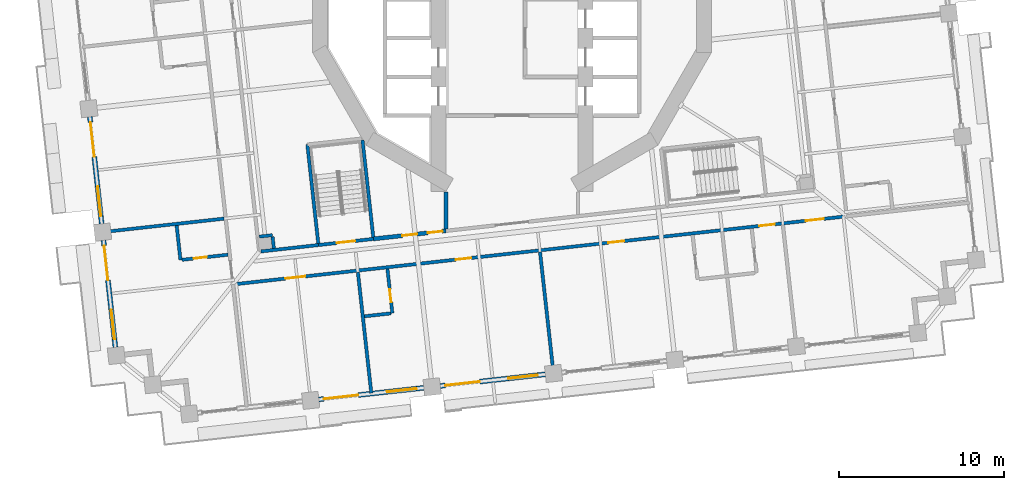
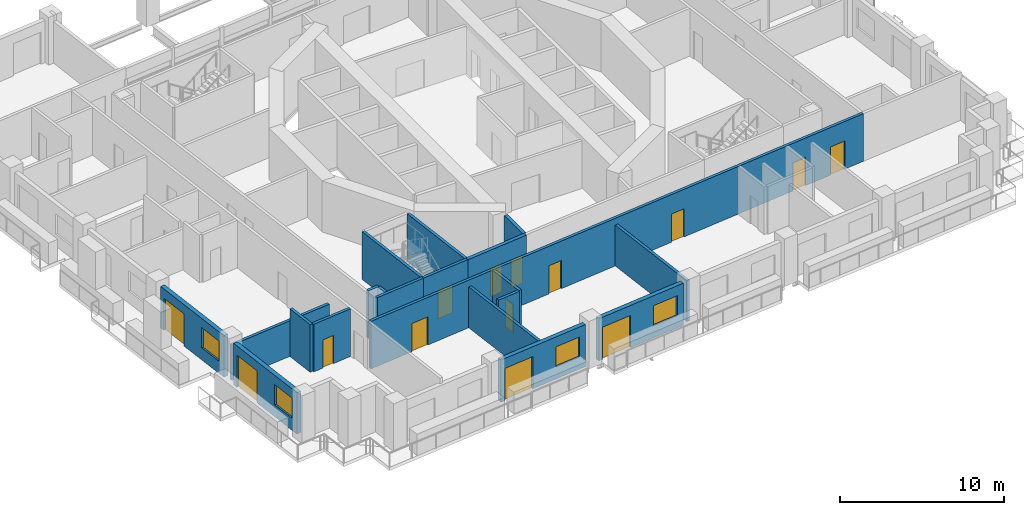
# One storey, part 7 of 21: 20 walls, 14 doors, 4 windows, 18 openings.
"""IFC4 building model written with IfcOpenShell, lengths in metres."""

from ifc_helpers import new_model, si_unit, direction, frame, frame_2d, origin, place, context, subcontext, project, spatial, rectangle, extrude, material, layer, layer_set, type_object, element, fill, save


model = new_model("IFC4")

# Units and contexts
model_context = context("Model", 3, precision=1e-05, world=origin(), true_north=direction((0.0, 1.0)))
body_context = subcontext(model_context, "Body", "Model", "MODEL_VIEW")
ifc_project = project(units=[si_unit("LENGTHUNIT", "METRE"), si_unit("AREAUNIT", "SQUARE_METRE"), si_unit("VOLUMEUNIT", "CUBIC_METRE"), si_unit("PLANEANGLEUNIT", "RADIAN"), si_unit("MASSUNIT", "GRAM", prefix="KILO")], contexts=[model_context])

# Site, building, storey
site_placement = place(None, origin())
site = spatial("IfcSite", under=ifc_project, at=site_placement, CompositionType="ELEMENT")
building_placement = place(site_placement, origin())
building = spatial("IfcBuilding", under=site, at=building_placement, Name="Cantera Rosa Tower", CompositionType="ELEMENT")
storey_placement = place(building_placement, frame((0.0, 0.0, 61.5)))
storey = spatial("IfcBuildingStorey", under=building, at=storey_placement, Name="L12", CompositionType="ELEMENT", Elevation=61.5)

# Wall, openings, doors
ifc_material_1 = material(Name="Gypsum board partition")
ifc_layer_1 = layer(ifc_material_1, 0.199951171875)
ifc_layer_set_1 = layer_set([ifc_layer_1], Name="CORRIDOR WALL 200 H3550")
wall_type_1 = type_object("IfcWallType", Name="CORRIDOR WALL 200 H3550", PredefinedType="PARTITIONING", material=ifc_layer_set_1)
wall_1_placement = place(storey_placement, frame((-16.798583984375, -17.25830078125, 0.0), z_axis=(0.0, 0.0, 1.0), x_axis=(0.993897376518, 0.110308680302, 0.0)))
wall_1 = element("IfcWall", 1, at=wall_1_placement, inside=storey, type_object=wall_type_1, Name="CORRIDOR WALL L12-020", PredefinedType="PARTITIONING", context=body_context, shape_type="SweptSolid", body=[
    extrude(rectangle(XDim=37.2998046875, YDim=0.199951171875, at=frame_2d((18.64990234375, 0.0))), origin(), (0.0, 0.0, 1.0), 3.550048828125),
])
opening_1_placement = place(wall_1_placement, frame((3.10009765625, 0.0, 0.0)))
opening_1 = element("IfcOpeningElement", 2, at=opening_1_placement, cuts=wall_1, Name="Opening L12-039", PredefinedType="OPENING", context=body_context, shape_type="SweptSolid", body=[
    extrude(rectangle(XDim=1.199951171875, YDim=2.10009765625, at=frame_2d((0.60009765625, 1.050048828125))), frame((0.0, 0.10986328125, 0.0), z_axis=(0.0, -1.0, 0.0), x_axis=(1.0, 0.0, 0.0)), (0.0, 0.0, 1.0), 0.219970703125),
])
opening_2_placement = place(wall_1_placement, frame((13.47509765625, 0.0, 0.0)))
opening_2 = element("IfcOpeningElement", 3, at=opening_2_placement, cuts=wall_1, Name="Opening L12-040", PredefinedType="OPENING", context=body_context, shape_type="SweptSolid", body=[
    extrude(rectangle(XDim=0.949951171875, YDim=2.10009765625, at=frame_2d((0.47509765625, 1.050048828125))), frame((0.0, 0.10986328125, 0.0), z_axis=(0.0, -1.0, 0.0), x_axis=(1.0, 0.0, 0.0)), (0.0, 0.0, 1.0), 0.219970703125),
])
opening_3_placement = place(wall_1_placement, frame((22.77490234375, 0.0, 0.0)))
opening_3 = element("IfcOpeningElement", 4, at=opening_3_placement, cuts=wall_1, Name="Opening L12-042", PredefinedType="OPENING", context=body_context, shape_type="SweptSolid", body=[
    extrude(rectangle(XDim=0.949951171875, YDim=2.10009765625, at=frame_2d((0.47509765625, 1.050048828125))), frame((0.0, 0.10986328125, 0.0), z_axis=(0.0, -1.0, 0.0), x_axis=(1.0, 0.0, 0.0)), (0.0, 0.0, 1.0), 0.219970703125),
])
opening_4_placement = place(wall_1_placement, frame((31.97509765625, 0.0, 0.0)))
opening_4 = element("IfcOpeningElement", 5, at=opening_4_placement, cuts=wall_1, Name="Opening L12-044", PredefinedType="OPENING", context=body_context, shape_type="SweptSolid", body=[
    extrude(rectangle(XDim=0.949951171875, YDim=2.10009765625, at=frame_2d((0.47509765625, 1.050048828125))), frame((0.0, 0.10986328125, 0.0), z_axis=(0.0, -1.0, 0.0), x_axis=(1.0, 0.0, 0.0)), (0.0, 0.0, 1.0), 0.219970703125),
])
opening_5_placement = place(wall_1_placement, frame((34.800048828125, 0.0, 0.0)))
opening_5 = element("IfcOpeningElement", 6, at=opening_5_placement, cuts=wall_1, Name="Opening L12-046", PredefinedType="OPENING", context=body_context, shape_type="SweptSolid", body=[
    extrude(rectangle(XDim=1.10009765625, YDim=2.10009765625, at=frame_2d((0.550048828125, 1.050048828125))), frame((0.0, 0.10986328125, 0.0), z_axis=(0.0, -1.0, 0.0), x_axis=(1.0, 0.0, 0.0)), (0.0, 0.0, 1.0), 0.219970703125),
])
ifc_material_2 = material(Name="Timber door leaf", Category="wood")
door_type_1 = type_object("IfcDoorType", Name="ROOM DOOR 1100x2100", OperationType="NOTDEFINED", PredefinedType="DOOR", material=ifc_material_2)
door_1_placement = place(opening_5_placement, origin())
door_1 = element("IfcDoor", 7, at=door_1_placement, inside=storey, type_object=door_type_1, Name="DOOR L12-046", OperationType="NOTDEFINED", OverallHeight=2.10009765625, OverallWidth=1.10009765625, PredefinedType="DOOR", context=body_context, shape_type="SweptSolid", body=[
    extrude(rectangle(XDim=1.10009765625, YDim=2.10009765625, at=frame_2d((0.550048828125, 1.050048828125))), frame((0.0, 0.02490234375, 0.0), z_axis=(0.0, -1.0, 0.0), x_axis=(1.0, 0.0, 0.0)), (0.0, 0.0, 1.0), 0.050048828125),
])
fill(opening_5, door_1)
ifc_material_3 = material(Name="Timber door leaf", Category="wood")
door_type_2 = type_object("IfcDoorType", Name="ROOM DOOR 1200x2100", OperationType="NOTDEFINED", PredefinedType="DOOR", material=ifc_material_3)
door_2_placement = place(opening_1_placement, origin())
door_2 = element("IfcDoor", 8, at=door_2_placement, inside=storey, type_object=door_type_2, Name="DOOR L12-039", OperationType="NOTDEFINED", OverallHeight=2.10009765625, OverallWidth=1.199951171875, PredefinedType="DOOR", context=body_context, shape_type="SweptSolid", body=[
    extrude(rectangle(XDim=1.199951171875, YDim=2.10009765625, at=frame_2d((0.60009765625, 1.050048828125))), frame((0.0, 0.02490234375, 0.0), z_axis=(0.0, -1.0, 0.0), x_axis=(1.0, 0.0, 0.0)), (0.0, 0.0, 1.0), 0.050048828125),
])
fill(opening_1, door_2)
ifc_material_4 = material(Name="Timber door leaf", Category="wood")
door_type_3 = type_object("IfcDoorType", Name="ROOM DOOR 950x2100", OperationType="NOTDEFINED", PredefinedType="DOOR", material=ifc_material_4)
door_3_placement = place(opening_2_placement, origin())
door_3 = element("IfcDoor", 9, at=door_3_placement, inside=storey, type_object=door_type_3, Name="DOOR L12-040", OperationType="NOTDEFINED", OverallHeight=2.10009765625, OverallWidth=0.949951171875, PredefinedType="DOOR", context=body_context, shape_type="SweptSolid", body=[
    extrude(rectangle(XDim=0.949951171875, YDim=2.10009765625, at=frame_2d((0.47509765625, 1.050048828125))), frame((0.0, 0.02490234375, 0.0), z_axis=(0.0, -1.0, 0.0), x_axis=(1.0, 0.0, 0.0)), (0.0, 0.0, 1.0), 0.050048828125),
])
fill(opening_2, door_3)
door_4_placement = place(opening_3_placement, origin())
door_4 = element("IfcDoor", 10, at=door_4_placement, inside=storey, type_object=door_type_3, Name="DOOR L12-042", OperationType="NOTDEFINED", OverallHeight=2.10009765625, OverallWidth=0.949951171875, PredefinedType="DOOR", context=body_context, shape_type="SweptSolid", body=[
    extrude(rectangle(XDim=0.949951171875, YDim=2.10009765625, at=frame_2d((0.47509765625, 1.050048828125))), frame((0.0, 0.02490234375, 0.0), z_axis=(0.0, -1.0, 0.0), x_axis=(1.0, 0.0, 0.0)), (0.0, 0.0, 1.0), 0.050048828125),
])
fill(opening_3, door_4)
door_5_placement = place(opening_4_placement, origin())
door_5 = element("IfcDoor", 11, at=door_5_placement, inside=storey, type_object=door_type_3, Name="DOOR L12-044", OperationType="NOTDEFINED", OverallHeight=2.10009765625, OverallWidth=0.949951171875, PredefinedType="DOOR", context=body_context, shape_type="SweptSolid", body=[
    extrude(rectangle(XDim=0.949951171875, YDim=2.10009765625, at=frame_2d((0.47509765625, 1.050048828125))), frame((0.0, 0.02490234375, 0.0), z_axis=(0.0, -1.0, 0.0), x_axis=(1.0, 0.0, 0.0)), (0.0, 0.0, 1.0), 0.050048828125),
])
fill(opening_4, door_5)

# Wall
wall_2_placement = place(storey_placement, frame((-15.208251953125, -15.27099609375, 0.0), z_axis=(0.0, 0.0, 1.0), x_axis=(0.993893064489, 0.110347525396, 0.0)))
element("IfcWall", 12, at=wall_2_placement, inside=storey, type_object=wall_type_1, Name="CORRIDOR WALL L12-025", PredefinedType="PARTITIONING", context=body_context, shape_type="SweptSolid", body=[
    extrude(rectangle(XDim=3.509033203125, YDim=0.199951171875, at=frame_2d((1.75439453125, 0.0))), origin(), (0.0, 0.0, 1.0), 3.550048828125),
])

# Wall, openings, window, door
ifc_material_5 = material(Name="Hollow clay masonry with cantera stone cladding", Category="masonry")
ifc_layer_2 = layer(ifc_material_5, 0.300048828125)
ifc_layer_set_2 = layer_set([ifc_layer_2], Name="EW-LOGGIA 300 H3090")
wall_type_2 = type_object("IfcWallType", Name="EW-LOGGIA 300 H3090", PredefinedType="SOLIDWALL", material=ifc_layer_set_2)
wall_3_placement = place(storey_placement, frame((-25.570068359375, -7.124267578125, 0.0), z_axis=(0.0, 0.0, 1.0), x_axis=(0.110312341265, -0.993896970196, 0.0)))
wall_3 = element("IfcWall", 13, at=wall_3_placement, inside=storey, type_object=wall_type_2, Name="EN-L12-W19", PredefinedType="SOLIDWALL", context=body_context, shape_type="SweptSolid", body=[
    extrude(rectangle(XDim=6.52001953125, YDim=0.300048828125, at=frame_2d((3.260009765625, 0.0))), origin(), (0.0, 0.0, 1.0), 3.090087890625),
])
opening_6_placement = place(wall_3_placement, frame((0.330078125, 0.0, 0.0)))
opening_6 = element("IfcOpeningElement", 14, at=opening_6_placement, cuts=wall_3, Name="Opening L12-TD25", PredefinedType="OPENING", context=body_context, shape_type="SweptSolid", body=[
    extrude(rectangle(XDim=2.10009765625, YDim=2.39990234375, at=frame_2d((1.050048828125, 1.199951171875))), frame((0.0, 0.159912109375, 0.0), z_axis=(0.0, -1.0, 0.0), x_axis=(1.0, 0.0, 0.0)), (0.0, 0.0, 1.0), 0.320068359375),
])
opening_7_placement = place(wall_3_placement, frame((4.239990234375, 0.0, 0.89990234375)))
opening_7 = element("IfcOpeningElement", 15, at=opening_7_placement, cuts=wall_3, Name="Opening L12-W26", PredefinedType="OPENING", context=body_context, shape_type="SweptSolid", body=[
    extrude(rectangle(XDim=1.800048828125, YDim=1.5, at=frame_2d((0.89990234375, 0.75))), frame((0.0, 0.159912109375, 0.0), z_axis=(0.0, -1.0, 0.0), x_axis=(1.0, 0.0, 0.0)), (0.0, 0.0, 1.0), 0.320068359375),
])
ifc_material_6 = material(Name="Aluminium frame with clear glass", Category="aluminium")
window_type = type_object("IfcWindowType", Name="Hotel room window 1800x1500", PartitioningType="DOUBLE_PANEL_VERTICAL", PredefinedType="WINDOW", material=ifc_material_6)
window_1_placement = place(opening_7_placement, origin())
window_1 = element("IfcWindow", 16, at=window_1_placement, inside=storey, type_object=window_type, Name="WINDOW L12-W26", OverallHeight=1.5, OverallWidth=1.800048828125, PartitioningType="SINGLE_PANEL", PredefinedType="WINDOW", context=body_context, shape_type="SweptSolid", body=[
    extrude(rectangle(XDim=1.800048828125, YDim=1.5, at=frame_2d((0.89990234375, 0.75))), frame((0.0, 0.030029296875, 0.0), z_axis=(0.0, -1.0, 0.0), x_axis=(1.0, 0.0, 0.0)), (0.0, 0.0, 1.0), 0.06005859375),
])
fill(opening_7, window_1)
ifc_material_7 = material(Name="Aluminium frame with clear glass", Category="aluminium")
door_type_4 = type_object("IfcDoorType", Name="TD-H 2100x2400", OperationType="NOTDEFINED", PredefinedType="DOOR", material=ifc_material_7)
door_6_placement = place(opening_6_placement, origin())
door_6 = element("IfcDoor", 17, at=door_6_placement, inside=storey, type_object=door_type_4, Name="LOGGIA DOOR L12-TD25", OperationType="SLIDING_TO_LEFT", OverallHeight=2.39990234375, OverallWidth=2.10009765625, PredefinedType="DOOR", context=body_context, shape_type="SweptSolid", body=[
    extrude(rectangle(XDim=2.10009765625, YDim=2.39990234375, at=frame_2d((1.050048828125, 1.199951171875))), frame((0.0, 0.02490234375, 0.0), z_axis=(0.0, -1.0, 0.0), x_axis=(1.0, 0.0, 0.0)), (0.0, 0.0, 1.0), 0.050048828125),
])
fill(opening_6, door_6)

wall_4_placement = place(storey_placement, frame((-24.74072265625, -14.598388671875, 0.0), z_axis=(0.0, 0.0, 1.0), x_axis=(0.110312341265, -0.993896970196, 0.0)))
wall_4 = element("IfcWall", 18, at=wall_4_placement, inside=storey, type_object=wall_type_2, Name="EN-L12-W20", PredefinedType="SOLIDWALL", context=body_context, shape_type="SweptSolid", body=[
    extrude(rectangle(XDim=6.52001953125, YDim=0.300048828125, at=frame_2d((3.260009765625, 0.0))), origin(), (0.0, 0.0, 1.0), 3.090087890625),
])
opening_8_placement = place(wall_4_placement, frame((0.330078125, 0.0, 0.0)))
opening_8 = element("IfcOpeningElement", 19, at=opening_8_placement, cuts=wall_4, Name="Opening L12-TD27", PredefinedType="OPENING", context=body_context, shape_type="SweptSolid", body=[
    extrude(rectangle(XDim=2.10009765625, YDim=2.39990234375, at=frame_2d((1.050048828125, 1.199951171875))), frame((0.0, 0.159912109375, 0.0), z_axis=(0.0, -1.0, 0.0), x_axis=(1.0, 0.0, 0.0)), (0.0, 0.0, 1.0), 0.320068359375),
])
opening_9_placement = place(wall_4_placement, frame((4.239990234375, 0.0, 0.89990234375)))
opening_9 = element("IfcOpeningElement", 20, at=opening_9_placement, cuts=wall_4, Name="Opening L12-W28", PredefinedType="OPENING", context=body_context, shape_type="SweptSolid", body=[
    extrude(rectangle(XDim=1.800048828125, YDim=1.5, at=frame_2d((0.89990234375, 0.75))), frame((0.0, 0.159912109375, 0.0), z_axis=(0.0, -1.0, 0.0), x_axis=(1.0, 0.0, 0.0)), (0.0, 0.0, 1.0), 0.320068359375),
])
window_2_placement = place(opening_9_placement, origin())
window_2 = element("IfcWindow", 21, at=window_2_placement, inside=storey, type_object=window_type, Name="WINDOW L12-W28", OverallHeight=1.5, OverallWidth=1.800048828125, PartitioningType="SINGLE_PANEL", PredefinedType="WINDOW", context=body_context, shape_type="SweptSolid", body=[
    extrude(rectangle(XDim=1.800048828125, YDim=1.5, at=frame_2d((0.89990234375, 0.75))), frame((0.0, 0.030029296875, 0.0), z_axis=(0.0, -1.0, 0.0), x_axis=(1.0, 0.0, 0.0)), (0.0, 0.0, 1.0), 0.06005859375),
])
fill(opening_9, window_2)
door_7_placement = place(opening_8_placement, origin())
door_7 = element("IfcDoor", 22, at=door_7_placement, inside=storey, type_object=door_type_4, Name="LOGGIA DOOR L12-TD27", OperationType="SLIDING_TO_LEFT", OverallHeight=2.39990234375, OverallWidth=2.10009765625, PredefinedType="DOOR", context=body_context, shape_type="SweptSolid", body=[
    extrude(rectangle(XDim=2.10009765625, YDim=2.39990234375, at=frame_2d((1.050048828125, 1.199951171875))), frame((0.0, 0.02490234375, 0.0), z_axis=(0.0, -1.0, 0.0), x_axis=(1.0, 0.0, 0.0)), (0.0, 0.0, 1.0), 0.050048828125),
])
fill(opening_8, door_7)

ifc_material_8 = material(Name="Hollow clay masonry with cantera stone cladding", Category="masonry")
ifc_layer_3 = layer(ifc_material_8, 0.300048828125)
ifc_layer_set_3 = layer_set([ifc_layer_3], Name="EW-LOGGIA 300 H3140")
wall_type_3 = type_object("IfcWallType", Name="EW-LOGGIA 300 H3140", PredefinedType="SOLIDWALL", material=ifc_layer_set_3)
wall_5_placement = place(storey_placement, frame((-11.697509765625, -24.23828125, 0.0), z_axis=(0.0, 0.0, 1.0), x_axis=(0.993895824271, 0.110322665379, 0.0)))
wall_5 = element("IfcWall", 23, at=wall_5_placement, inside=storey, type_object=wall_type_3, Name="EN-L12-W24", PredefinedType="SOLIDWALL", context=body_context, shape_type="SweptSolid", body=[
    extrude(rectangle(XDim=6.39990234375, YDim=0.300048828125, at=frame_2d((3.199951171875, 0.0))), origin(), (0.0, 0.0, 1.0), 3.139892578125),
])
opening_10_placement = place(wall_5_placement, frame((0.300048828125, 0.0, 0.0)))
opening_10 = element("IfcOpeningElement", 24, at=opening_10_placement, cuts=wall_5, Name="Opening L12-TD31", PredefinedType="OPENING", context=body_context, shape_type="SweptSolid", body=[
    extrude(rectangle(XDim=2.10009765625, YDim=2.39990234375, at=frame_2d((1.050048828125, 1.199951171875))), frame((0.0, 0.159912109375, 0.0), z_axis=(0.0, -1.0, 0.0), x_axis=(1.0, 0.0, 0.0)), (0.0, 0.0, 1.0), 0.320068359375),
])
opening_11_placement = place(wall_5_placement, frame((4.14990234375, 0.0, 0.89990234375)))
opening_11 = element("IfcOpeningElement", 25, at=opening_11_placement, cuts=wall_5, Name="Opening L12-W32", PredefinedType="OPENING", context=body_context, shape_type="SweptSolid", body=[
    extrude(rectangle(XDim=1.800048828125, YDim=1.5, at=frame_2d((0.89990234375, 0.75))), frame((0.0, 0.159912109375, 0.0), z_axis=(0.0, -1.0, 0.0), x_axis=(1.0, 0.0, 0.0)), (0.0, 0.0, 1.0), 0.320068359375),
])
window_3_placement = place(opening_11_placement, origin())
window_3 = element("IfcWindow", 26, at=window_3_placement, inside=storey, type_object=window_type, Name="WINDOW L12-W32", OverallHeight=1.5, OverallWidth=1.800048828125, PartitioningType="SINGLE_PANEL", PredefinedType="WINDOW", context=body_context, shape_type="SweptSolid", body=[
    extrude(rectangle(XDim=1.800048828125, YDim=1.5, at=frame_2d((0.89990234375, 0.75))), frame((0.0, 0.030029296875, 0.0), z_axis=(0.0, -1.0, 0.0), x_axis=(1.0, 0.0, 0.0)), (0.0, 0.0, 1.0), 0.06005859375),
])
fill(opening_11, window_3)
door_8_placement = place(opening_10_placement, origin())
door_8 = element("IfcDoor", 27, at=door_8_placement, inside=storey, type_object=door_type_4, Name="LOGGIA DOOR L12-TD31", OperationType="SLIDING_TO_LEFT", OverallHeight=2.39990234375, OverallWidth=2.10009765625, PredefinedType="DOOR", context=body_context, shape_type="SweptSolid", body=[
    extrude(rectangle(XDim=2.10009765625, YDim=2.39990234375, at=frame_2d((1.050048828125, 1.199951171875))), frame((0.0, 0.02490234375, 0.0), z_axis=(0.0, -1.0, 0.0), x_axis=(1.0, 0.0, 0.0)), (0.0, 0.0, 1.0), 0.050048828125),
])
fill(opening_10, door_8)

wall_6_placement = place(storey_placement, frame((-4.3427734375, -23.422119140625, 0.0), z_axis=(0.0, 0.0, 1.0), x_axis=(0.993895824271, 0.110322665379, 0.0)))
wall_6 = element("IfcWall", 28, at=wall_6_placement, inside=storey, type_object=wall_type_3, Name="EN-L12-W25", PredefinedType="SOLIDWALL", context=body_context, shape_type="SweptSolid", body=[
    extrude(rectangle(XDim=6.39990234375, YDim=0.300048828125, at=frame_2d((3.199951171875, 0.0))), origin(), (0.0, 0.0, 1.0), 3.139892578125),
])
opening_12_placement = place(wall_6_placement, frame((0.300048828125, 0.0, 0.0)))
opening_12 = element("IfcOpeningElement", 29, at=opening_12_placement, cuts=wall_6, Name="Opening L12-TD33", PredefinedType="OPENING", context=body_context, shape_type="SweptSolid", body=[
    extrude(rectangle(XDim=2.10009765625, YDim=2.39990234375, at=frame_2d((1.050048828125, 1.199951171875))), frame((0.0, 0.159912109375, 0.0), z_axis=(0.0, -1.0, 0.0), x_axis=(1.0, 0.0, 0.0)), (0.0, 0.0, 1.0), 0.320068359375),
])
opening_13_placement = place(wall_6_placement, frame((4.14990234375, 0.0, 0.89990234375)))
opening_13 = element("IfcOpeningElement", 30, at=opening_13_placement, cuts=wall_6, Name="Opening L12-W34", PredefinedType="OPENING", context=body_context, shape_type="SweptSolid", body=[
    extrude(rectangle(XDim=1.800048828125, YDim=1.5, at=frame_2d((0.89990234375, 0.75))), frame((0.0, 0.159912109375, 0.0), z_axis=(0.0, -1.0, 0.0), x_axis=(1.0, 0.0, 0.0)), (0.0, 0.0, 1.0), 0.320068359375),
])
window_4_placement = place(opening_13_placement, origin())
window_4 = element("IfcWindow", 31, at=window_4_placement, inside=storey, type_object=window_type, Name="WINDOW L12-W34", OverallHeight=1.5, OverallWidth=1.800048828125, PartitioningType="SINGLE_PANEL", PredefinedType="WINDOW", context=body_context, shape_type="SweptSolid", body=[
    extrude(rectangle(XDim=1.800048828125, YDim=1.5, at=frame_2d((0.89990234375, 0.75))), frame((0.0, 0.030029296875, 0.0), z_axis=(0.0, -1.0, 0.0), x_axis=(1.0, 0.0, 0.0)), (0.0, 0.0, 1.0), 0.06005859375),
])
fill(opening_13, window_4)
door_9_placement = place(opening_12_placement, origin())
door_9 = element("IfcDoor", 32, at=door_9_placement, inside=storey, type_object=door_type_4, Name="LOGGIA DOOR L12-TD33", OperationType="SLIDING_TO_LEFT", OverallHeight=2.39990234375, OverallWidth=2.10009765625, PredefinedType="DOOR", context=body_context, shape_type="SweptSolid", body=[
    extrude(rectangle(XDim=2.10009765625, YDim=2.39990234375, at=frame_2d((1.050048828125, 1.199951171875))), frame((0.0, 0.02490234375, 0.0), z_axis=(0.0, -1.0, 0.0), x_axis=(1.0, 0.0, 0.0)), (0.0, 0.0, 1.0), 0.050048828125),
])
fill(opening_12, door_9)

# Wall
ifc_material_9 = material(Name="Gypsum board partition")
ifc_layer_4 = layer(ifc_material_9, 0.199951171875)
ifc_layer_set_4 = layer_set([ifc_layer_4], Name="PARTITION 200 H3550")
wall_type_4 = type_object("IfcWallType", Name="PARTITION 200 H3550", PredefinedType="PARTITIONING", material=ifc_layer_set_4)
wall_7_placement = place(storey_placement, frame((-20.08056640625, -15.79150390625, 0.0), z_axis=(0.0, 0.0, 1.0), x_axis=(-0.11032944474, 0.993895071737, 0.0)))
element("IfcWall", 33, at=wall_7_placement, inside=storey, type_object=wall_type_4, Name="PARTITION L12-009", PredefinedType="PARTITIONING", context=body_context, shape_type="SweptSolid", body=[
    extrude(rectangle(XDim=2.10009765625, YDim=0.199951171875, at=frame_2d((1.050048828125, 0.0))), origin(), (0.0, 0.0, 1.0), 3.550048828125),
])

# Wall, opening, door
wall_8_placement = place(storey_placement, frame((-17.1982421875, -15.4716796875, 0.0), z_axis=(0.0, 0.0, 1.0), x_axis=(-0.993898612038, -0.110297547524, 0.0)))
wall_8 = element("IfcWall", 34, at=wall_8_placement, inside=storey, type_object=wall_type_4, Name="PARTITION L12-019", PredefinedType="PARTITIONING", context=body_context, shape_type="SweptSolid", body=[
    extrude(rectangle(XDim=2.800048828125, YDim=0.199951171875, at=frame_2d((1.39990234375, 0.0))), origin(), (0.0, 0.0, 1.0), 3.550048828125),
])
opening_14_placement = place(wall_8_placement, frame((1.300048828125, 0.0, 0.0)))
opening_14 = element("IfcOpeningElement", 35, at=opening_14_placement, cuts=wall_8, Name="Opening L12-038", PredefinedType="OPENING", context=body_context, shape_type="SweptSolid", body=[
    extrude(rectangle(XDim=0.800048828125, YDim=2.10009765625, at=frame_2d((0.39990234375, 1.050048828125))), frame((0.0, 0.10986328125, 0.0), z_axis=(0.0, -1.0, 0.0), x_axis=(1.0, 0.0, 0.0)), (0.0, 0.0, 1.0), 0.219970703125),
])
ifc_material_10 = material(Name="Timber door leaf", Category="wood")
door_type_5 = type_object("IfcDoorType", Name="BATHROOM DOOR 800x2100", OperationType="NOTDEFINED", PredefinedType="DOOR", material=ifc_material_10)
door_10_placement = place(opening_14_placement, origin())
door_10 = element("IfcDoor", 36, at=door_10_placement, inside=storey, type_object=door_type_5, Name="DOOR L12-038", OperationType="NOTDEFINED", OverallHeight=2.10009765625, OverallWidth=0.800048828125, PredefinedType="DOOR", context=body_context, shape_type="SweptSolid", body=[
    extrude(rectangle(XDim=0.800048828125, YDim=2.10009765625, at=frame_2d((0.39990234375, 1.050048828125))), frame((0.0, 0.02490234375, 0.0), z_axis=(0.0, -1.0, 0.0), x_axis=(1.0, 0.0, 0.0)), (0.0, 0.0, 1.0), 0.050048828125),
])
fill(opening_14, door_10)

# Walls
wall_9_placement = place(storey_placement, frame((-14.512451171875, -14.2880859375, 0.0), z_axis=(0.0, 0.0, 1.0), x_axis=(-0.993880012744, -0.110465018303, 0.0)))
element("IfcWall", 37, at=wall_9_placement, inside=storey, type_object=wall_type_4, Name="PARTITION L12-026", PredefinedType="PARTITIONING", context=body_context, shape_type="SweptSolid", body=[
    extrude(rectangle(XDim=0.800048828125, YDim=0.199951171875, at=frame_2d((0.39990234375, 0.0))), origin(), (0.0, 0.0, 1.0), 3.550048828125),
])
wall_10_placement = place(storey_placement, frame((-14.42431640625, -15.083251953125, 0.0), z_axis=(0.0, 0.0, 1.0), x_axis=(-0.110201865026, 0.993909225707, 0.0)))
element("IfcWall", 38, at=wall_10_placement, inside=storey, type_object=wall_type_4, Name="PARTITION L12-027", PredefinedType="PARTITIONING", context=body_context, shape_type="SweptSolid", body=[
    extrude(rectangle(XDim=0.699951171875, YDim=0.199951171875, at=frame_2d((0.35009765625, 0.0))), origin(), (0.0, 0.0, 1.0), 3.550048828125),
])

# Wall, opening, door
wall_11_placement = place(storey_placement, frame((-7.54443359375, -16.331787109375, 0.0), z_axis=(0.0, 0.0, 1.0), x_axis=(0.110312435488, -0.993896959738, 0.0)))
wall_11 = element("IfcWall", 39, at=wall_11_placement, inside=storey, type_object=wall_type_4, Name="PARTITION L12-046", PredefinedType="PARTITIONING", context=body_context, shape_type="SweptSolid", body=[
    extrude(rectangle(XDim=2.699951171875, YDim=0.199951171875, at=frame_2d((1.35009765625, 0.0))), origin(), (0.0, 0.0, 1.0), 3.550048828125),
])
opening_15_placement = place(wall_11_placement, frame((1.236083984375, 0.0, 0.0)))
opening_15 = element("IfcOpeningElement", 40, at=opening_15_placement, cuts=wall_11, Name="Opening L12-041", PredefinedType="OPENING", context=body_context, shape_type="SweptSolid", body=[
    extrude(rectangle(XDim=0.800048828125, YDim=2.10009765625, at=frame_2d((0.39990234375, 1.050048828125))), frame((0.0, 0.10986328125, 0.0), z_axis=(0.0, -1.0, 0.0), x_axis=(1.0, 0.0, 0.0)), (0.0, 0.0, 1.0), 0.219970703125),
])
door_11_placement = place(opening_15_placement, origin())
door_11 = element("IfcDoor", 41, at=door_11_placement, inside=storey, type_object=door_type_5, Name="DOOR L12-041", OperationType="NOTDEFINED", OverallHeight=2.10009765625, OverallWidth=0.800048828125, PredefinedType="DOOR", context=body_context, shape_type="SweptSolid", body=[
    extrude(rectangle(XDim=0.800048828125, YDim=2.10009765625, at=frame_2d((0.39990234375, 1.050048828125))), frame((0.0, 0.02490234375, 0.0), z_axis=(0.0, -1.0, 0.0), x_axis=(1.0, 0.0, 0.0)), (0.0, 0.0, 1.0), 0.050048828125),
])
fill(opening_15, door_11)

# Walls
wall_12_placement = place(storey_placement, frame((-7.345947265625, -19.026611328125, 0.0), z_axis=(0.0, 0.0, 1.0), x_axis=(-0.993913470482, -0.110163574714, 0.0)))
element("IfcWall", 42, at=wall_12_placement, inside=storey, type_object=wall_type_4, Name="PARTITION L12-047", PredefinedType="PARTITIONING", context=body_context, shape_type="SweptSolid", body=[
    extrude(rectangle(XDim=1.60009765625, YDim=0.199951171875, at=frame_2d((0.800048828125, 0.0))), origin(), (0.0, 0.0, 1.0), 3.550048828125),
])
ifc_material_11 = material(Name="Gypsum board partition")
ifc_layer_5 = layer(ifc_material_11, 0.199951171875)
ifc_layer_set_5 = layer_set([ifc_layer_5], Name="PARTY WALL 200 H2650")
wall_type_5 = type_object("IfcWallType", Name="PARTY WALL 200 H2650", PredefinedType="PARTITIONING", material=ifc_layer_set_5)
wall_13_placement = place(storey_placement, frame((-17.44091796875, -13.284912109375, 0.0), z_axis=(0.0, 0.0, 1.0), x_axis=(-0.993897461949, -0.110307910555, 0.0)))
element("IfcWall", 43, at=wall_13_placement, inside=storey, type_object=wall_type_5, Name="PARTY WALL L12-016", PredefinedType="PARTITIONING", context=body_context, shape_type="SweptSolid", body=[
    extrude(rectangle(XDim=7.3701171875, YDim=0.199951171875, at=frame_2d((3.68505859375, 0.0))), origin(), (0.0, 0.0, 1.0), 2.64990234375),
])
ifc_material_12 = material(Name="Gypsum board partition")
ifc_layer_6 = layer(ifc_material_12, 0.199951171875)
ifc_layer_set_6 = layer_set([ifc_layer_6], Name="PARTY WALL 200 H3050")
wall_type_6 = type_object("IfcWallType", Name="PARTY WALL 200 H3050", PredefinedType="PARTITIONING", material=ifc_layer_set_6)
wall_14_placement = place(storey_placement, frame((-9.33349609375, -16.530517578125, 0.0), z_axis=(0.0, 0.0, 1.0), x_axis=(0.11031154238, -0.993897058864, 0.0)))
element("IfcWall", 44, at=wall_14_placement, inside=storey, type_object=wall_type_6, Name="PARTY WALL L12-035", PredefinedType="PARTITIONING", context=body_context, shape_type="SweptSolid", body=[
    extrude(rectangle(XDim=7.369873046875, YDim=0.199951171875, at=frame_2d((3.68505859375, 0.0))), origin(), (0.0, 0.0, 1.0), 3.050048828125),
])
wall_15_placement = place(storey_placement, frame((1.69873046875, -15.305908203125, 0.0), z_axis=(0.0, 0.0, 1.0), x_axis=(0.110307910555, -0.993897461949, 0.0)))
element("IfcWall", 45, at=wall_15_placement, inside=storey, type_object=wall_type_6, Name="PARTY WALL L12-056", PredefinedType="PARTITIONING", context=body_context, shape_type="SweptSolid", body=[
    extrude(rectangle(XDim=7.3701171875, YDim=0.199951171875, at=frame_2d((3.68505859375, 0.0))), origin(), (0.0, 0.0, 1.0), 3.050048828125),
])

# Wall, openings, doors
ifc_material_13 = material(Name="Masonry blockwork", Category="masonry")
ifc_layer_7 = layer(ifc_material_13, 0.25)
ifc_layer_set_7 = layer_set([ifc_layer_7], Name="SHAFT WALL 250 H3550")
wall_type_7 = type_object("IfcWallType", Name="SHAFT WALL 250 H3550", PredefinedType="SOLIDWALL", material=ifc_layer_set_7)
wall_16_placement = place(storey_placement, frame((-8.391357421875, -14.51416015625, 0.0), z_axis=(0.0, 0.0, 1.0), x_axis=(0.993899223668, 0.110292035939, 0.0)))
wall_16 = element("IfcWall", 46, at=wall_16_placement, inside=storey, type_object=wall_type_7, Name="SHAFT WALL L12-038", PredefinedType="SOLIDWALL", context=body_context, shape_type="SweptSolid", body=[
    extrude(rectangle(XDim=4.418212890625, YDim=0.25, at=frame_2d((2.208984375, 0.0))), origin(), (0.0, 0.0, 1.0), 3.550048828125),
])
opening_16_placement = place(wall_16_placement, frame((3.305419921875, 0.0, 0.0)))
opening_16 = element("IfcOpeningElement", 47, at=opening_16_placement, cuts=wall_16, Name="Opening L12-010", PredefinedType="OPENING", context=body_context, shape_type="SweptSolid", body=[
    extrude(rectangle(XDim=0.89990234375, YDim=2.10009765625, at=frame_2d((0.449951171875, 1.050048828125))), frame((0.0, 0.135009765625, 0.0), z_axis=(0.0, -1.0, 0.0), x_axis=(1.0, 0.0, 0.0)), (0.0, 0.0, 1.0), 0.27001953125),
])
opening_17_placement = place(wall_16_placement, frame((1.759033203125, 0.0, 0.0)))
opening_17 = element("IfcOpeningElement", 48, at=opening_17_placement, cuts=wall_16, Name="Opening L12-047", PredefinedType="OPENING", context=body_context, shape_type="SweptSolid", body=[
    extrude(rectangle(XDim=0.89990234375, YDim=2.10009765625, at=frame_2d((0.449951171875, 1.050048828125))), frame((0.0, 0.135009765625, 0.0), z_axis=(0.0, -1.0, 0.0), x_axis=(1.0, 0.0, 0.0)), (0.0, 0.0, 1.0), 0.27001953125),
])
ifc_material_14 = material(Name="Timber door leaf", Category="wood")
door_type_6 = type_object("IfcDoorType", Name="SERVICE DOOR 900x2100", OperationType="NOTDEFINED", PredefinedType="DOOR", material=ifc_material_14)
door_12_placement = place(opening_16_placement, origin())
door_12 = element("IfcDoor", 49, at=door_12_placement, inside=storey, type_object=door_type_6, Name="RISER DOOR L12-010", OperationType="NOTDEFINED", OverallHeight=2.10009765625, OverallWidth=0.89990234375, PredefinedType="DOOR", context=body_context, shape_type="SweptSolid", body=[
    extrude(rectangle(XDim=0.89990234375, YDim=2.10009765625, at=frame_2d((0.449951171875, 1.050048828125))), frame((0.0, 0.02490234375, 0.0), z_axis=(0.0, -1.0, 0.0), x_axis=(1.0, 0.0, 0.0)), (0.0, 0.0, 1.0), 0.050048828125),
])
fill(opening_16, door_12)
door_13_placement = place(opening_17_placement, origin())
door_13 = element("IfcDoor", 50, at=door_13_placement, inside=storey, type_object=door_type_6, Name="RISER DOOR L12-047", OperationType="NOTDEFINED", OverallHeight=2.10009765625, OverallWidth=0.89990234375, PredefinedType="DOOR", context=body_context, shape_type="SweptSolid", body=[
    extrude(rectangle(XDim=0.89990234375, YDim=2.10009765625, at=frame_2d((0.449951171875, 1.050048828125))), frame((0.0, 0.02490234375, 0.0), z_axis=(0.0, -1.0, 0.0), x_axis=(1.0, 0.0, 0.0)), (0.0, 0.0, 1.0), 0.050048828125),
])
fill(opening_17, door_13)

# Walls
wall_17_placement = place(storey_placement, frame((-4.0, -11.667236328125, 0.0), z_axis=(0.0, 0.0, 1.0), x_axis=(0.0, -1.0, 0.0)))
element("IfcWall", 51, at=wall_17_placement, inside=storey, type_object=wall_type_7, Name="SHAFT WALL L12-050", PredefinedType="SOLIDWALL", context=body_context, shape_type="SweptSolid", body=[
    extrude(rectangle(XDim=2.23974609375, YDim=0.25, at=frame_2d((1.119873046875, 0.0))), origin(), (0.0, 0.0, 1.0), 3.550048828125),
])
ifc_material_15 = material(Name="Concrete C50/60", Category="concrete")
ifc_layer_8 = layer(ifc_material_15, 0.199951171875)
ifc_layer_set_8 = layer_set([ifc_layer_8], Name="STAIR WALL 200 H3550")
wall_type_8 = type_object("IfcWallType", Name="STAIR WALL 200 H3550", PredefinedType="SOLIDWALL", material=ifc_layer_set_8)
wall_18_placement = place(storey_placement, frame((-12.395751953125, -8.802978515625, 0.0), z_axis=(0.0, 0.0, 1.0), x_axis=(0.110335171461, -0.993894436014, 0.0)))
element("IfcWall", 52, at=wall_18_placement, inside=storey, type_object=wall_type_8, Name="STAIR WALL L12-028", PredefinedType="SOLIDWALL", context=body_context, shape_type="SweptSolid", body=[
    extrude(rectangle(XDim=6.1181640625, YDim=0.199951171875, at=frame_2d((3.05908203125, 0.0))), origin(), (0.0, 0.0, 1.0), 3.550048828125),
])

# Wall, opening, door
wall_19_placement = place(storey_placement, frame((-11.720703125, -14.8837890625, 0.0), z_axis=(0.0, 0.0, 1.0), x_axis=(0.993893507649, 0.110343533811, 0.0)))
wall_19 = element("IfcWall", 53, at=wall_19_placement, inside=storey, type_object=wall_type_8, Name="STAIR WALL L12-030", PredefinedType="SOLIDWALL", context=body_context, shape_type="SweptSolid", body=[
    extrude(rectangle(XDim=3.349853515625, YDim=0.199951171875, at=frame_2d((1.6748046875, 0.0))), origin(), (0.0, 0.0, 1.0), 3.550048828125),
])
opening_18_placement = place(wall_19_placement, frame((1.125, 0.0, 0.0)))
opening_18 = element("IfcOpeningElement", 54, at=opening_18_placement, cuts=wall_19, Name="Opening L12-003", PredefinedType="OPENING", context=body_context, shape_type="SweptSolid", body=[
    extrude(rectangle(XDim=1.10009765625, YDim=2.10009765625, at=frame_2d((0.550048828125, 1.050048828125))), frame((0.0, 0.10986328125, 0.0), z_axis=(0.0, -1.0, 0.0), x_axis=(1.0, 0.0, 0.0)), (0.0, 0.0, 1.0), 0.219970703125),
])
ifc_material_16 = material(Name="Steel S355J2 (EN 10025-2)", Category="steel")
door_type_7 = type_object("IfcDoorType", Name="STAIR DOOR 1100x2100", OperationType="NOTDEFINED", PredefinedType="DOOR", material=ifc_material_16)
door_14_placement = place(opening_18_placement, origin())
door_14 = element("IfcDoor", 55, at=door_14_placement, inside=storey, type_object=door_type_7, Name="DOOR L12-003", OperationType="NOTDEFINED", OverallHeight=2.10009765625, OverallWidth=1.10009765625, PredefinedType="DOOR", context=body_context, shape_type="SweptSolid", body=[
    extrude(rectangle(XDim=1.10009765625, YDim=2.10009765625, at=frame_2d((0.550048828125, 1.050048828125))), frame((0.0, 0.02490234375, 0.0), z_axis=(0.0, -1.0, 0.0), x_axis=(1.0, 0.0, 0.0)), (0.0, 0.0, 1.0), 0.050048828125),
])
fill(opening_18, door_14)

# Wall
wall_20_placement = place(storey_placement, frame((-8.391357421875, -14.51416015625, 0.0), z_axis=(0.0, 0.0, 1.0), x_axis=(-0.11031151838, 0.993897061527, 0.0)))
element("IfcWall", 56, at=wall_20_placement, inside=storey, type_object=wall_type_8, Name="STAIR WALL L12-037", PredefinedType="SOLIDWALL", context=body_context, shape_type="SweptSolid", body=[
    extrude(rectangle(XDim=6.02880859375, YDim=0.199951171875, at=frame_2d((3.014404296875, 0.0))), origin(), (0.0, 0.0, 1.0), 3.550048828125),
])

save(model, "model.ifc")
